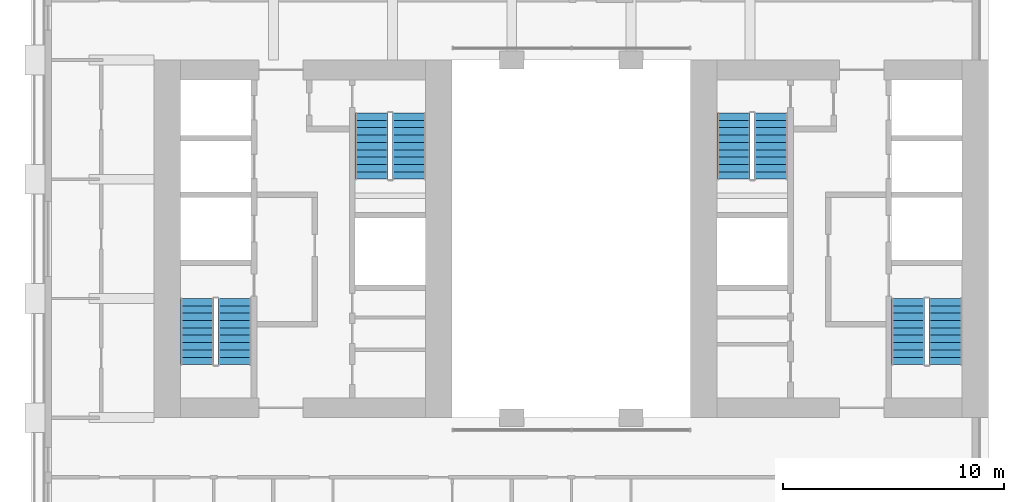
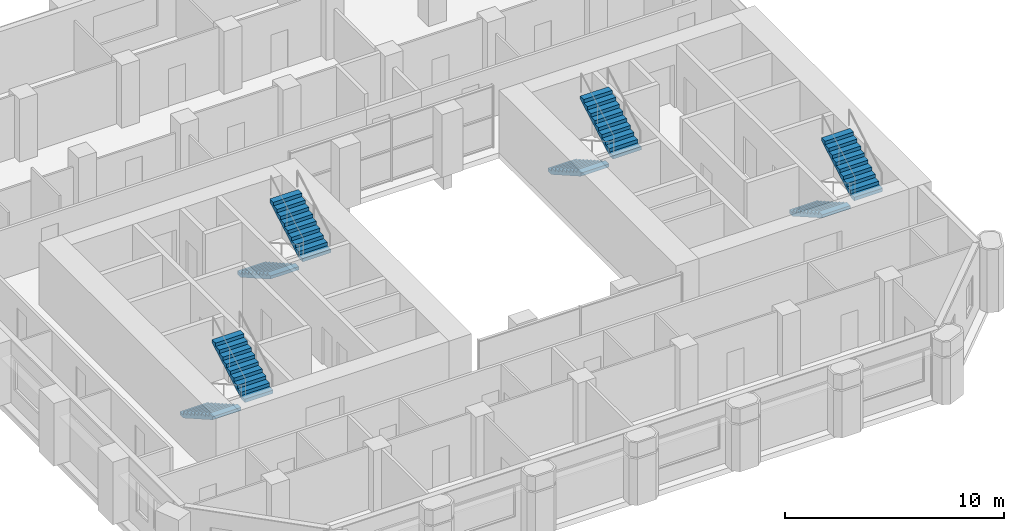
# One storey, part 10 of 13: 8 stair flights, 4 elements without a shape of their own.
"""IFC4 building model written with IfcOpenShell, lengths in metres."""

import ifcopenshell
import ifcopenshell.guid

model = None  # the IFC model being written
_history = None  # IfcOwnerHistory: only IFC2X3 demands one
_inside = {}  # id of a spatial element -> (the spatial element, [elements in it])
_under = {}  # id of a project, library or spatial element -> (it, [spatial elements below it])
_declared = {}  # id of a project -> (the project, [libraries it declares])
_typed = {}  # id of a type object -> (the type object, [elements of that type])
_made_of = {}  # id of a material, layer set ... -> (it, [elements and type objects made of it])


def new_model(schema):
    """Start an empty IFC model of exactly this schema.

    Asked for "IFC4X3", IfcOpenShell would pick the latest addendum, in which some entities
    have other attributes; the version numbers below select the first issue.
    IFC2X3 requires an IfcOwnerHistory on every rooted entity: one is made here for all.
    """
    global model, _history
    if schema == "IFC4X3":
        model = ifcopenshell.file(schema_version=(4, 3, 0, 0))
    else:
        model = ifcopenshell.file(schema=schema)
    _inside.clear()
    _under.clear()
    _declared.clear()
    _typed.clear()
    _made_of.clear()
    _history = None
    if model.schema == "IFC2X3":
        org = make("IfcOrganization", Name="unknown")
        user = make(
            "IfcPersonAndOrganization",
            ThePerson=make("IfcPerson", FamilyName="unknown"),
            TheOrganization=org,
        )
        app = make(
            "IfcApplication",
            ApplicationDeveloper=org,
            Version="unknown",
            ApplicationFullName="unknown",
            ApplicationIdentifier="unknown",
        )
        _history = make(
            "IfcOwnerHistory",
            OwningUser=user,
            OwningApplication=app,
            ChangeAction="ADDED",
            CreationDate=0,
        )
    return model


def make(cls, **values):
    """One entity of the class cls with the attributes given. An attribute that is None is left unset."""
    return model.create_entity(
        cls, **{name: value for name, value in values.items() if value is not None}
    )


def rooted(cls, **values):
    """An entity with a GlobalId (a new one), such as an element, a storey or a relation."""
    return make(cls, GlobalId=ifcopenshell.guid.new(), OwnerHistory=_history, **values)


def si_unit(unit_type, name, prefix=None):
    """IfcSIUnit, for example si_unit("LENGTHUNIT", "METRE", prefix="MILLI")."""
    return make("IfcSIUnit", UnitType=unit_type, Prefix=prefix, Name=name)


def assignment(units):
    """IfcUnitAssignment: the units of a project."""
    return None if units is None else make("IfcUnitAssignment", Units=units)


def point(xyz):
    """IfcCartesianPoint."""
    return None if xyz is None else make("IfcCartesianPoint", Coordinates=xyz)


def direction(xyz):
    """IfcDirection."""
    return None if xyz is None else make("IfcDirection", DirectionRatios=xyz)


def frame(location, z_axis=None, x_axis=None):
    """IfcAxis2Placement3D, a coordinate frame: its origin and axes. An axis left out is left unset."""
    return make(
        "IfcAxis2Placement3D",
        Location=point(location),
        Axis=direction(z_axis),
        RefDirection=direction(x_axis),
    )


def origin():
    """The frame at (0, 0, 0) with its axes left unset."""
    return frame((0.0, 0.0, 0.0))


def place(relative_to, where):
    """IfcLocalPlacement: puts the frame where relative to a parent placement (None: the world)."""
    return make(
        "IfcLocalPlacement", PlacementRelTo=relative_to, RelativePlacement=where
    )


def context(
    kind, dimensions, precision=None, world=None, true_north=None, identifier=None
):
    """IfcGeometricRepresentationContext, for example the 3D "Model" context."""
    return make(
        "IfcGeometricRepresentationContext",
        ContextIdentifier=identifier,
        ContextType=kind,
        CoordinateSpaceDimension=dimensions,
        Precision=precision,
        WorldCoordinateSystem=world,
        TrueNorth=true_north,
    )


def subcontext(parent, identifier, kind, view, scale=None):
    """IfcGeometricRepresentationSubContext, for example "Body" below "Model"."""
    return make(
        "IfcGeometricRepresentationSubContext",
        ContextIdentifier=identifier,
        ContextType=kind,
        ParentContext=parent,
        TargetScale=scale,
        TargetView=view,
    )


def project(units=None, contexts=None):
    """IfcProject with its units and contexts."""
    return rooted(
        "IfcProject",
        Name="project",
        RepresentationContexts=contexts,
        UnitsInContext=assignment(units),
    )


def spatial(cls, under=None, at=None, **own):
    """A site, building, storey or space (cls), placed at a placement, below another one or the project."""
    s = rooted(cls, ObjectPlacement=at, **own)
    if under is not None:
        _under.setdefault(under.id(), (under, []))[1].append(s)
    return s


def polyline(points):
    """IfcPolyline through the points."""
    return make("IfcPolyline", Points=[point(p) for p in points])


def outline(outer, holes=None, kind="AREA"):
    """IfcArbitraryClosedProfileDef: a profile drawn as a closed curve; with holes, ...WithVoids."""
    if holes is None:
        return make("IfcArbitraryClosedProfileDef", ProfileType=kind, OuterCurve=outer)
    return make(
        "IfcArbitraryProfileDefWithVoids",
        ProfileType=kind,
        OuterCurve=outer,
        InnerCurves=holes,
    )


def extrude(swept, where, along, depth):
    """IfcExtrudedAreaSolid: the profile swept, set in the frame where, extruded along a direction by depth."""
    return make(
        "IfcExtrudedAreaSolid",
        SweptArea=swept,
        Position=where,
        ExtrudedDirection=direction(along),
        Depth=depth,
    )


def shape(context_of_items, identifier, shape_type, items):
    """IfcShapeRepresentation: the items that make up one representation, for example the "Body"."""
    return make(
        "IfcShapeRepresentation",
        ContextOfItems=context_of_items,
        RepresentationIdentifier=identifier,
        RepresentationType=shape_type,
        Items=items,
    )


def material(Name=None, Category=None):
    """IfcMaterial."""
    return make("IfcMaterial", Name=Name, Category=Category)


def made_of(thing, what):
    """Note that an element or type object is made of a material, layer set ...; save() writes the relation."""
    if what is not None:
        _made_of.setdefault(what.id(), (what, []))[1].append(thing)
    return thing


def type_object(cls, material=None, **own):
    """A type object (cls), such as IfcWallType, which elements share."""
    return made_of(rooted(cls, **own), material)


def element(
    cls,
    number,
    at=None,
    inside=None,
    cuts=None,
    type_object=None,
    material=None,
    context=None,
    identifier="Body",
    shape_type=None,
    held_by="IfcProductDefinitionShape",
    body=None,
    shapes=None,
    **own,
):
    """One element of the class cls, such as IfcWall. Its Tag is "e" and its number.

    at: its placement. inside: the storey or other place that contains it. cuts: it is an
    opening in that element (IfcRelVoidsElement). A single representation is given by context,
    identifier, shape_type and body (its items); several are given by shapes. held_by: the class
    of the entity that holds the representations. save() writes the other relations.
    """
    e = rooted(cls, Tag="e%d" % number, ObjectPlacement=at, **own)
    if body is not None:
        shapes = [shape(context, identifier, shape_type, body)]
    if shapes is not None:
        e.Representation = make(held_by, Representations=shapes)
    if inside is not None:
        _inside.setdefault(inside.id(), (inside, []))[1].append(e)
    if cuts is not None:
        rooted(
            "IfcRelVoidsElement", RelatingBuildingElement=cuts, RelatedOpeningElement=e
        )
    if type_object is not None:
        _typed.setdefault(type_object.id(), (type_object, []))[1].append(e)
    return made_of(e, material)


def aggregate(whole, parts):
    """IfcRelAggregates: a whole, such as a stair, and the parts it consists of."""
    return rooted("IfcRelAggregates", RelatingObject=whole, RelatedObjects=parts)


def save(model, path):
    """Write the relations noted so far, then the file.

    IfcRelAggregates (storeys below a building ...), IfcRelContainedInSpatialStructure (elements
    in a storey), IfcRelDefinesByType, IfcRelAssociatesMaterial and IfcRelDeclares: one each for
    every whole, place, type object, material and project.
    """
    for whole, parts in _under.values():
        aggregate(whole, parts)
    for where, things in _inside.values():
        rooted(
            "IfcRelContainedInSpatialStructure",
            RelatedElements=things,
            RelatingStructure=where,
        )
    for kind, things in _typed.values():
        rooted("IfcRelDefinesByType", RelatedObjects=things, RelatingType=kind)
    for what, things in _made_of.values():
        rooted("IfcRelAssociatesMaterial", RelatedObjects=things, RelatingMaterial=what)
    for by, libraries in _declared.values():
        rooted("IfcRelDeclares", RelatingContext=by, RelatedDefinitions=libraries)
    model.write(path)


model = new_model("IFC4")

# Units and contexts
model_context = context("Model", 3, precision=1e-05, world=origin(), true_north=direction((0.0, 1.0)))
body_context = subcontext(model_context, "Body", "Model", "MODEL_VIEW")
ifc_project = project(units=[si_unit("LENGTHUNIT", "METRE"), si_unit("AREAUNIT", "SQUARE_METRE"), si_unit("VOLUMEUNIT", "CUBIC_METRE"), si_unit("PLANEANGLEUNIT", "RADIAN"), si_unit("MASSUNIT", "GRAM", prefix="KILO")], contexts=[model_context])

# Site, building, storey
site_placement = place(None, origin())
site = spatial("IfcSite", under=ifc_project, at=site_placement, CompositionType="ELEMENT")
building_placement = place(site_placement, origin())
building = spatial("IfcBuilding", under=site, at=building_placement, Name="Tabaq Tower and Sports Hall", CompositionType="ELEMENT")
storey_placement = place(building_placement, frame((0.0, 0.0, 106.800048828125)))
storey = spatial("IfcBuildingStorey", under=building, at=storey_placement, Name="L25", CompositionType="ELEMENT", Elevation=106.800048828125)

# Stair, stair flights
ifc_material_1 = material(Name="Concrete C40/50", Category="concrete")
stair_type = type_object("IfcStairType", Name="Exit stair", PredefinedType="HALF_TURN_STAIR", material=ifc_material_1)
stair_1_placement = place(storey_placement, origin())
stair_1 = element("IfcStair", 1, at=stair_1_placement, inside=storey, type_object=stair_type, Name="L25 Exit stair ST1", PredefinedType="HALF_TURN_STAIR")
ifc_material_2 = material(Name="Concrete C40/50", Category="concrete")
stair_flight_type = type_object("IfcStairFlightType", Name="Exit stair flight", PredefinedType="STRAIGHT", material=ifc_material_2)
stair_flight_1_placement = place(storey_placement, frame((7.35009765625, 21.60009765625, 0.0), z_axis=(0.0, 0.0, 1.0), x_axis=(0.0, -1.0, 0.0)))
stair_flight_1 = element("IfcStairFlight", 2, at=stair_flight_1_placement, type_object=stair_flight_type, Name="ST1 flight 1", NumberOfRisers=10, NumberOfTreads=9, PredefinedType="STRAIGHT", RiserHeight=0.19, TreadLength=0.333333333, context=body_context, shape_type="SweptSolid", body=[
    extrude(outline(polyline([(0.0, 0.0), (0.0, 0.18994140625), (0.333251953125, 0.18994140625), (0.333251953125, 0.3798828125), (0.666748046875, 0.3798828125), (0.666748046875, 0.570068359375), (1.0, 0.570068359375), (1.0, 0.760009765625), (1.333251953125, 0.760009765625), (1.333251953125, 0.949951171875), (1.666748046875, 0.949951171875), (1.666748046875, 1.139892578125), (2.0, 1.139892578125), (2.0, 1.330078125), (2.333251953125, 1.330078125), (2.333251953125, 1.52001953125), (2.666748046875, 1.52001953125), (2.666748046875, 1.7099609375), (3.0, 1.7099609375), (3.0, 1.89990234375), (3.0, 1.537353515625), (0.302734375, 0.0), (0.0, 0.0)])), frame((0.0, 0.75, 0.0), z_axis=(0.0, -1.0, 0.0), x_axis=(1.0, 0.0, 0.0)), (0.0, 0.0, 1.0), 1.5),
])
stair_flight_2_placement = place(storey_placement, frame((9.050048828125, 18.60009765625, 1.89990234375), z_axis=(0.0, 0.0, 1.0), x_axis=(0.0, 1.0, 0.0)))
stair_flight_2 = element("IfcStairFlight", 3, at=stair_flight_2_placement, type_object=stair_flight_type, Name="ST1 flight 2", NumberOfRisers=10, NumberOfTreads=9, PredefinedType="STRAIGHT", RiserHeight=0.19, TreadLength=0.333333333, context=body_context, shape_type="SweptSolid", body=[
    extrude(outline(polyline([(0.0, 0.0), (0.0, 0.18994140625), (0.333251953125, 0.18994140625), (0.333251953125, 0.3798828125), (0.666748046875, 0.3798828125), (0.666748046875, 0.570068359375), (1.0, 0.570068359375), (1.0, 0.760009765625), (1.333251953125, 0.760009765625), (1.333251953125, 0.949951171875), (1.666748046875, 0.949951171875), (1.666748046875, 1.139892578125), (2.0, 1.139892578125), (2.0, 1.330078125), (2.333251953125, 1.330078125), (2.333251953125, 1.52001953125), (2.666748046875, 1.52001953125), (2.666748046875, 1.7099609375), (3.0, 1.7099609375), (3.0, 1.89990234375), (3.0, 1.537353515625), (0.302734375, 0.0), (0.0, 0.0)])), frame((0.0, 0.75, 0.0), z_axis=(0.0, -1.0, 0.0), x_axis=(1.0, 0.0, 0.0)), (0.0, 0.0, 1.0), 1.5),
])
aggregate(stair_1, [stair_flight_1, stair_flight_2])

stair_2_placement = place(storey_placement, origin())
stair_2 = element("IfcStair", 4, at=stair_2_placement, inside=storey, type_object=stair_type, Name="L25 Exit stair ST2", PredefinedType="HALF_TURN_STAIR")
stair_flight_3_placement = place(storey_placement, frame((15.25, 30.0, 0.0), z_axis=(0.0, 0.0, 1.0), x_axis=(0.0, -1.0, 0.0)))
stair_flight_3 = element("IfcStairFlight", 5, at=stair_flight_3_placement, type_object=stair_flight_type, Name="ST2 flight 1", NumberOfRisers=10, NumberOfTreads=9, PredefinedType="STRAIGHT", RiserHeight=0.19, TreadLength=0.333333333, context=body_context, shape_type="SweptSolid", body=[
    extrude(outline(polyline([(0.0, 0.0), (0.0, 0.18994140625), (0.333251953125, 0.18994140625), (0.333251953125, 0.3798828125), (0.666748046875, 0.3798828125), (0.666748046875, 0.570068359375), (1.0, 0.570068359375), (1.0, 0.760009765625), (1.333251953125, 0.760009765625), (1.333251953125, 0.949951171875), (1.666748046875, 0.949951171875), (1.666748046875, 1.139892578125), (2.0, 1.139892578125), (2.0, 1.330078125), (2.333251953125, 1.330078125), (2.333251953125, 1.52001953125), (2.666748046875, 1.52001953125), (2.666748046875, 1.7099609375), (3.0, 1.7099609375), (3.0, 1.89990234375), (3.0, 1.537353515625), (0.302734375, 0.0), (0.0, 0.0)])), frame((0.0, 0.75, 0.0), z_axis=(0.0, -1.0, 0.0), x_axis=(1.0, 0.0, 0.0)), (0.0, 0.0, 1.0), 1.5),
])
stair_flight_4_placement = place(storey_placement, frame((16.949951171875, 27.0, 1.89990234375), z_axis=(0.0, 0.0, 1.0), x_axis=(0.0, 1.0, 0.0)))
stair_flight_4 = element("IfcStairFlight", 6, at=stair_flight_4_placement, type_object=stair_flight_type, Name="ST2 flight 2", NumberOfRisers=10, NumberOfTreads=9, PredefinedType="STRAIGHT", RiserHeight=0.19, TreadLength=0.333333333, context=body_context, shape_type="SweptSolid", body=[
    extrude(outline(polyline([(0.0, 0.0), (0.0, 0.18994140625), (0.333251953125, 0.18994140625), (0.333251953125, 0.3798828125), (0.666748046875, 0.3798828125), (0.666748046875, 0.570068359375), (1.0, 0.570068359375), (1.0, 0.760009765625), (1.333251953125, 0.760009765625), (1.333251953125, 0.949951171875), (1.666748046875, 0.949951171875), (1.666748046875, 1.139892578125), (2.0, 1.139892578125), (2.0, 1.330078125), (2.333251953125, 1.330078125), (2.333251953125, 1.52001953125), (2.666748046875, 1.52001953125), (2.666748046875, 1.7099609375), (3.0, 1.7099609375), (3.0, 1.89990234375), (3.0, 1.537353515625), (0.302734375, 0.0), (0.0, 0.0)])), frame((0.0, 0.75, 0.0), z_axis=(0.0, -1.0, 0.0), x_axis=(1.0, 0.0, 0.0)), (0.0, 0.0, 1.0), 1.5),
])
aggregate(stair_2, [stair_flight_3, stair_flight_4])

stair_3_placement = place(storey_placement, origin())
stair_3 = element("IfcStair", 7, at=stair_3_placement, inside=storey, type_object=stair_type, Name="L25 Exit stair ST3", PredefinedType="HALF_TURN_STAIR")
stair_flight_5_placement = place(storey_placement, frame((39.550048828125, 21.60009765625, 0.0), z_axis=(0.0, 0.0, 1.0), x_axis=(0.0, -1.0, 0.0)))
stair_flight_5 = element("IfcStairFlight", 8, at=stair_flight_5_placement, type_object=stair_flight_type, Name="ST3 flight 1", NumberOfRisers=10, NumberOfTreads=9, PredefinedType="STRAIGHT", RiserHeight=0.19, TreadLength=0.333333333, context=body_context, shape_type="SweptSolid", body=[
    extrude(outline(polyline([(0.0, 0.0), (0.0, 0.18994140625), (0.333251953125, 0.18994140625), (0.333251953125, 0.3798828125), (0.666748046875, 0.3798828125), (0.666748046875, 0.570068359375), (1.0, 0.570068359375), (1.0, 0.760009765625), (1.333251953125, 0.760009765625), (1.333251953125, 0.949951171875), (1.666748046875, 0.949951171875), (1.666748046875, 1.139892578125), (2.0, 1.139892578125), (2.0, 1.330078125), (2.333251953125, 1.330078125), (2.333251953125, 1.52001953125), (2.666748046875, 1.52001953125), (2.666748046875, 1.7099609375), (3.0, 1.7099609375), (3.0, 1.89990234375), (3.0, 1.537353515625), (0.302734375, 0.0), (0.0, 0.0)])), frame((0.0, 0.75, 0.0), z_axis=(0.0, -1.0, 0.0), x_axis=(1.0, 0.0, 0.0)), (0.0, 0.0, 1.0), 1.5),
])
stair_flight_6_placement = place(storey_placement, frame((41.25, 18.60009765625, 1.89990234375), z_axis=(0.0, 0.0, 1.0), x_axis=(0.0, 1.0, 0.0)))
stair_flight_6 = element("IfcStairFlight", 9, at=stair_flight_6_placement, type_object=stair_flight_type, Name="ST3 flight 2", NumberOfRisers=10, NumberOfTreads=9, PredefinedType="STRAIGHT", RiserHeight=0.19, TreadLength=0.333333333, context=body_context, shape_type="SweptSolid", body=[
    extrude(outline(polyline([(0.0, 0.0), (0.0, 0.18994140625), (0.333251953125, 0.18994140625), (0.333251953125, 0.3798828125), (0.666748046875, 0.3798828125), (0.666748046875, 0.570068359375), (1.0, 0.570068359375), (1.0, 0.760009765625), (1.333251953125, 0.760009765625), (1.333251953125, 0.949951171875), (1.666748046875, 0.949951171875), (1.666748046875, 1.139892578125), (2.0, 1.139892578125), (2.0, 1.330078125), (2.333251953125, 1.330078125), (2.333251953125, 1.52001953125), (2.666748046875, 1.52001953125), (2.666748046875, 1.7099609375), (3.0, 1.7099609375), (3.0, 1.89990234375), (3.0, 1.537353515625), (0.302734375, 0.0), (0.0, 0.0)])), frame((0.0, 0.75, 0.0), z_axis=(0.0, -1.0, 0.0), x_axis=(1.0, 0.0, 0.0)), (0.0, 0.0, 1.0), 1.5),
])
aggregate(stair_3, [stair_flight_5, stair_flight_6])

stair_4_placement = place(storey_placement, origin())
stair_4 = element("IfcStair", 10, at=stair_4_placement, inside=storey, type_object=stair_type, Name="L25 Exit stair ST4", PredefinedType="HALF_TURN_STAIR")
stair_flight_7_placement = place(storey_placement, frame((31.64990234375, 30.0, 0.0), z_axis=(0.0, 0.0, 1.0), x_axis=(0.0, -1.0, 0.0)))
stair_flight_7 = element("IfcStairFlight", 11, at=stair_flight_7_placement, type_object=stair_flight_type, Name="ST4 flight 1", NumberOfRisers=10, NumberOfTreads=9, PredefinedType="STRAIGHT", RiserHeight=0.19, TreadLength=0.333333333, context=body_context, shape_type="SweptSolid", body=[
    extrude(outline(polyline([(0.0, 0.0), (0.0, 0.18994140625), (0.333251953125, 0.18994140625), (0.333251953125, 0.3798828125), (0.666748046875, 0.3798828125), (0.666748046875, 0.570068359375), (1.0, 0.570068359375), (1.0, 0.760009765625), (1.333251953125, 0.760009765625), (1.333251953125, 0.949951171875), (1.666748046875, 0.949951171875), (1.666748046875, 1.139892578125), (2.0, 1.139892578125), (2.0, 1.330078125), (2.333251953125, 1.330078125), (2.333251953125, 1.52001953125), (2.666748046875, 1.52001953125), (2.666748046875, 1.7099609375), (3.0, 1.7099609375), (3.0, 1.89990234375), (3.0, 1.537353515625), (0.302734375, 0.0), (0.0, 0.0)])), frame((0.0, 0.75, 0.0), z_axis=(0.0, -1.0, 0.0), x_axis=(1.0, 0.0, 0.0)), (0.0, 0.0, 1.0), 1.5),
])
stair_flight_8_placement = place(storey_placement, frame((33.35009765625, 27.0, 1.89990234375), z_axis=(0.0, 0.0, 1.0), x_axis=(0.0, 1.0, 0.0)))
stair_flight_8 = element("IfcStairFlight", 12, at=stair_flight_8_placement, type_object=stair_flight_type, Name="ST4 flight 2", NumberOfRisers=10, NumberOfTreads=9, PredefinedType="STRAIGHT", RiserHeight=0.19, TreadLength=0.333333333, context=body_context, shape_type="SweptSolid", body=[
    extrude(outline(polyline([(0.0, 0.0), (0.0, 0.18994140625), (0.333251953125, 0.18994140625), (0.333251953125, 0.3798828125), (0.666748046875, 0.3798828125), (0.666748046875, 0.570068359375), (1.0, 0.570068359375), (1.0, 0.760009765625), (1.333251953125, 0.760009765625), (1.333251953125, 0.949951171875), (1.666748046875, 0.949951171875), (1.666748046875, 1.139892578125), (2.0, 1.139892578125), (2.0, 1.330078125), (2.333251953125, 1.330078125), (2.333251953125, 1.52001953125), (2.666748046875, 1.52001953125), (2.666748046875, 1.7099609375), (3.0, 1.7099609375), (3.0, 1.89990234375), (3.0, 1.537353515625), (0.302734375, 0.0), (0.0, 0.0)])), frame((0.0, 0.75, 0.0), z_axis=(0.0, -1.0, 0.0), x_axis=(1.0, 0.0, 0.0)), (0.0, 0.0, 1.0), 1.5),
])
aggregate(stair_4, [stair_flight_7, stair_flight_8])

save(model, "model.ifc")
